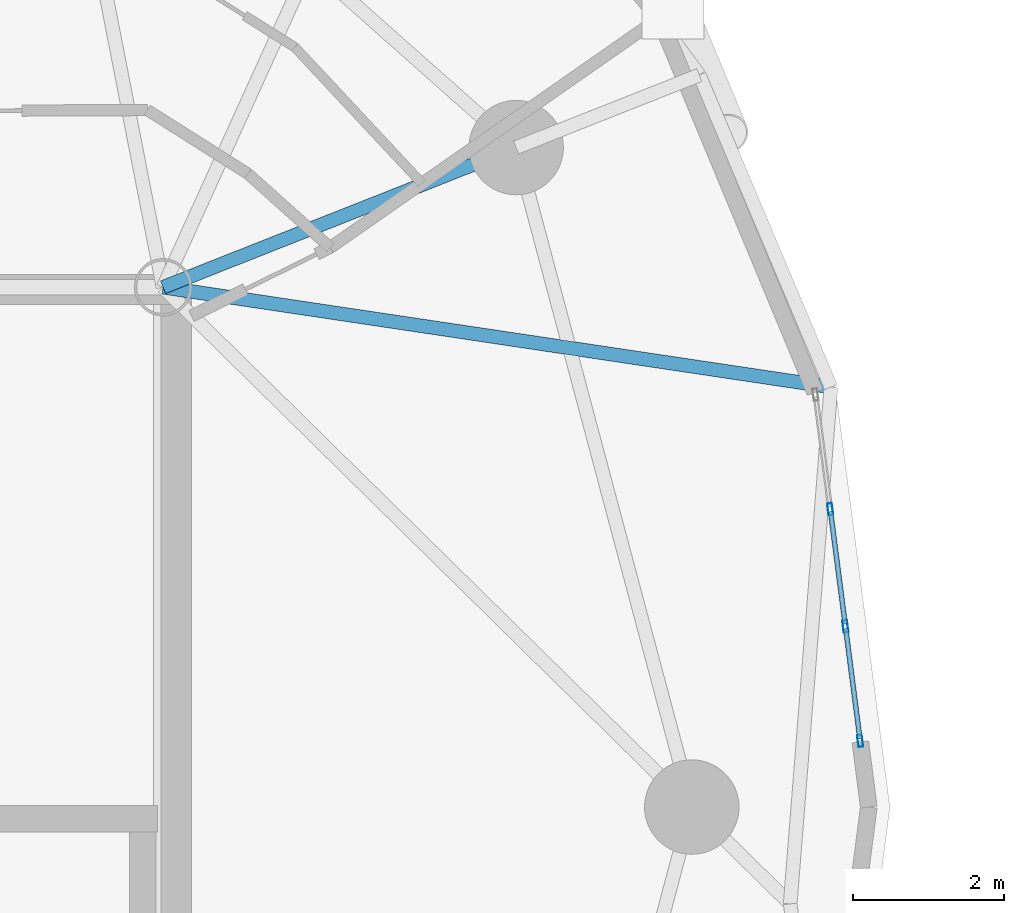
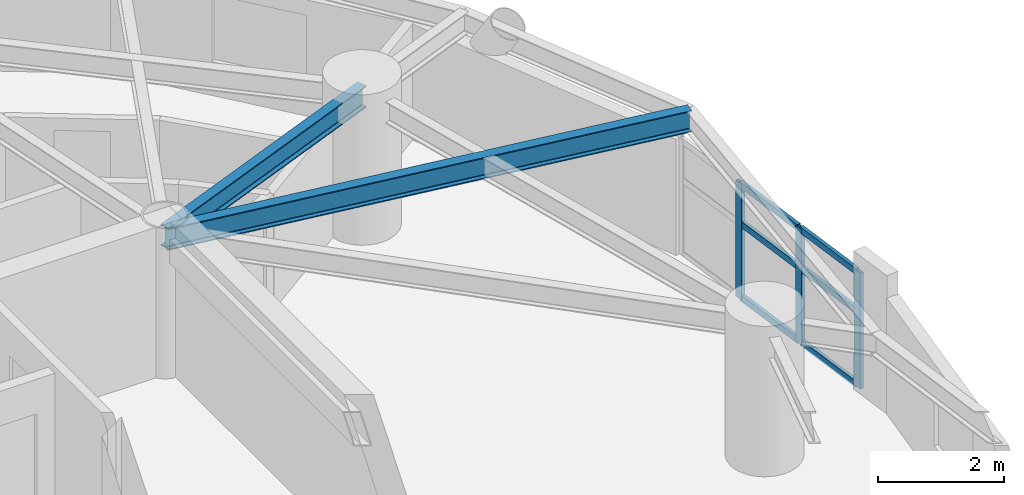
# One storey, part 3 of 19: 9 members, 2 beams, 1 element without a shape of its own.
"""IFC4 building model written with IfcOpenShell, lengths in metres."""

import ifcopenshell
import ifcopenshell.guid

model = None  # the IFC model being written
_history = None  # IfcOwnerHistory: only IFC2X3 demands one
_inside = {}  # id of a spatial element -> (the spatial element, [elements in it])
_under = {}  # id of a project, library or spatial element -> (it, [spatial elements below it])
_declared = {}  # id of a project -> (the project, [libraries it declares])
_typed = {}  # id of a type object -> (the type object, [elements of that type])
_made_of = {}  # id of a material, layer set ... -> (it, [elements and type objects made of it])


def new_model(schema):
    """Start an empty IFC model of exactly this schema.

    Asked for "IFC4X3", IfcOpenShell would pick the latest addendum, in which some entities
    have other attributes; the version numbers below select the first issue.
    IFC2X3 requires an IfcOwnerHistory on every rooted entity: one is made here for all.
    """
    global model, _history
    if schema == "IFC4X3":
        model = ifcopenshell.file(schema_version=(4, 3, 0, 0))
    else:
        model = ifcopenshell.file(schema=schema)
    _inside.clear()
    _under.clear()
    _declared.clear()
    _typed.clear()
    _made_of.clear()
    _history = None
    if model.schema == "IFC2X3":
        org = make("IfcOrganization", Name="unknown")
        user = make(
            "IfcPersonAndOrganization",
            ThePerson=make("IfcPerson", FamilyName="unknown"),
            TheOrganization=org,
        )
        app = make(
            "IfcApplication",
            ApplicationDeveloper=org,
            Version="unknown",
            ApplicationFullName="unknown",
            ApplicationIdentifier="unknown",
        )
        _history = make(
            "IfcOwnerHistory",
            OwningUser=user,
            OwningApplication=app,
            ChangeAction="ADDED",
            CreationDate=0,
        )
    return model


def make(cls, **values):
    """One entity of the class cls with the attributes given. An attribute that is None is left unset."""
    return model.create_entity(
        cls, **{name: value for name, value in values.items() if value is not None}
    )


def rooted(cls, **values):
    """An entity with a GlobalId (a new one), such as an element, a storey or a relation."""
    return make(cls, GlobalId=ifcopenshell.guid.new(), OwnerHistory=_history, **values)


def si_unit(unit_type, name, prefix=None):
    """IfcSIUnit, for example si_unit("LENGTHUNIT", "METRE", prefix="MILLI")."""
    return make("IfcSIUnit", UnitType=unit_type, Prefix=prefix, Name=name)


def assignment(units):
    """IfcUnitAssignment: the units of a project."""
    return None if units is None else make("IfcUnitAssignment", Units=units)


def point(xyz):
    """IfcCartesianPoint."""
    return None if xyz is None else make("IfcCartesianPoint", Coordinates=xyz)


def direction(xyz):
    """IfcDirection."""
    return None if xyz is None else make("IfcDirection", DirectionRatios=xyz)


def frame(location, z_axis=None, x_axis=None):
    """IfcAxis2Placement3D, a coordinate frame: its origin and axes. An axis left out is left unset."""
    return make(
        "IfcAxis2Placement3D",
        Location=point(location),
        Axis=direction(z_axis),
        RefDirection=direction(x_axis),
    )


def frame_2d(location, x_axis=None):
    """IfcAxis2Placement2D, a coordinate frame in the plane: its origin and x axis."""
    return make(
        "IfcAxis2Placement2D", Location=point(location), RefDirection=direction(x_axis)
    )


def origin():
    """The frame at (0, 0, 0) with its axes left unset."""
    return frame((0.0, 0.0, 0.0))


def origin_2d():
    """The frame at (0, 0) in the plane with its x axis left unset."""
    return frame_2d((0.0, 0.0))


def place(relative_to, where):
    """IfcLocalPlacement: puts the frame where relative to a parent placement (None: the world)."""
    return make(
        "IfcLocalPlacement", PlacementRelTo=relative_to, RelativePlacement=where
    )


def context(
    kind, dimensions, precision=None, world=None, true_north=None, identifier=None
):
    """IfcGeometricRepresentationContext, for example the 3D "Model" context."""
    return make(
        "IfcGeometricRepresentationContext",
        ContextIdentifier=identifier,
        ContextType=kind,
        CoordinateSpaceDimension=dimensions,
        Precision=precision,
        WorldCoordinateSystem=world,
        TrueNorth=true_north,
    )


def subcontext(parent, identifier, kind, view, scale=None):
    """IfcGeometricRepresentationSubContext, for example "Body" below "Model"."""
    return make(
        "IfcGeometricRepresentationSubContext",
        ContextIdentifier=identifier,
        ContextType=kind,
        ParentContext=parent,
        TargetScale=scale,
        TargetView=view,
    )


def project(units=None, contexts=None):
    """IfcProject with its units and contexts."""
    return rooted(
        "IfcProject",
        Name="project",
        RepresentationContexts=contexts,
        UnitsInContext=assignment(units),
    )


def spatial(cls, under=None, at=None, **own):
    """A site, building, storey or space (cls), placed at a placement, below another one or the project."""
    s = rooted(cls, ObjectPlacement=at, **own)
    if under is not None:
        _under.setdefault(under.id(), (under, []))[1].append(s)
    return s


def profile(cls, at=None, kind="AREA", **sizes):
    """A parametric profile (cls). Its sizes go by their IFC names, for example OverallWidth=200.0."""
    return make(cls, ProfileType=kind, Position=at, **sizes)


def hollow_rectangle(**sizes):
    """IfcRectangleHollowProfileDef."""
    return profile("IfcRectangleHollowProfileDef", **sizes)


def i_section(**sizes):
    """IfcIShapeProfileDef."""
    return profile("IfcIShapeProfileDef", **sizes)


def extrude(swept, where, along, depth):
    """IfcExtrudedAreaSolid: the profile swept, set in the frame where, extruded along a direction by depth."""
    return make(
        "IfcExtrudedAreaSolid",
        SweptArea=swept,
        Position=where,
        ExtrudedDirection=direction(along),
        Depth=depth,
    )


def shape(context_of_items, identifier, shape_type, items):
    """IfcShapeRepresentation: the items that make up one representation, for example the "Body"."""
    return make(
        "IfcShapeRepresentation",
        ContextOfItems=context_of_items,
        RepresentationIdentifier=identifier,
        RepresentationType=shape_type,
        Items=items,
    )


def material(Name=None, Category=None):
    """IfcMaterial."""
    return make("IfcMaterial", Name=Name, Category=Category)


def layer(
    of_material, thickness, ventilated=None, Name=None, Category=None, Priority=None
):
    """IfcMaterialLayer: one layer of a wall or slab, of a material (None: an air gap)."""
    return make(
        "IfcMaterialLayer",
        Material=of_material,
        LayerThickness=thickness,
        IsVentilated=ventilated,
        Name=Name,
        Category=Category,
        Priority=Priority,
    )


def layer_set(layers, Name=None):
    """IfcMaterialLayerSet."""
    return make("IfcMaterialLayerSet", MaterialLayers=layers, LayerSetName=Name)


def material_profile(
    of_material, cross_section, Name=None, Category=None, Priority=None
):
    """IfcMaterialProfile: a cross section and its material."""
    return make(
        "IfcMaterialProfile",
        Name=Name,
        Material=of_material,
        Profile=cross_section,
        Priority=Priority,
        Category=Category,
    )


def profile_set(profiles, Name=None, composite=None):
    """IfcMaterialProfileSet."""
    return make(
        "IfcMaterialProfileSet",
        Name=Name,
        MaterialProfiles=profiles,
        CompositeProfile=composite,
    )


def made_of(thing, what):
    """Note that an element or type object is made of a material, layer set ...; save() writes the relation."""
    if what is not None:
        _made_of.setdefault(what.id(), (what, []))[1].append(thing)
    return thing


def type_object(cls, material=None, **own):
    """A type object (cls), such as IfcWallType, which elements share."""
    return made_of(rooted(cls, **own), material)


def element(
    cls,
    number,
    at=None,
    inside=None,
    cuts=None,
    type_object=None,
    material=None,
    context=None,
    identifier="Body",
    shape_type=None,
    held_by="IfcProductDefinitionShape",
    body=None,
    shapes=None,
    **own,
):
    """One element of the class cls, such as IfcWall. Its Tag is "e" and its number.

    at: its placement. inside: the storey or other place that contains it. cuts: it is an
    opening in that element (IfcRelVoidsElement). A single representation is given by context,
    identifier, shape_type and body (its items); several are given by shapes. held_by: the class
    of the entity that holds the representations. save() writes the other relations.
    """
    e = rooted(cls, Tag="e%d" % number, ObjectPlacement=at, **own)
    if body is not None:
        shapes = [shape(context, identifier, shape_type, body)]
    if shapes is not None:
        e.Representation = make(held_by, Representations=shapes)
    if inside is not None:
        _inside.setdefault(inside.id(), (inside, []))[1].append(e)
    if cuts is not None:
        rooted(
            "IfcRelVoidsElement", RelatingBuildingElement=cuts, RelatedOpeningElement=e
        )
    if type_object is not None:
        _typed.setdefault(type_object.id(), (type_object, []))[1].append(e)
    return made_of(e, material)


def aggregate(whole, parts):
    """IfcRelAggregates: a whole, such as a stair, and the parts it consists of."""
    return rooted("IfcRelAggregates", RelatingObject=whole, RelatedObjects=parts)


def save(model, path):
    """Write the relations noted so far, then the file.

    IfcRelAggregates (storeys below a building ...), IfcRelContainedInSpatialStructure (elements
    in a storey), IfcRelDefinesByType, IfcRelAssociatesMaterial and IfcRelDeclares: one each for
    every whole, place, type object, material and project.
    """
    for whole, parts in _under.values():
        aggregate(whole, parts)
    for where, things in _inside.values():
        rooted(
            "IfcRelContainedInSpatialStructure",
            RelatedElements=things,
            RelatingStructure=where,
        )
    for kind, things in _typed.values():
        rooted("IfcRelDefinesByType", RelatedObjects=things, RelatingType=kind)
    for what, things in _made_of.values():
        rooted("IfcRelAssociatesMaterial", RelatedObjects=things, RelatingMaterial=what)
    for by, libraries in _declared.values():
        rooted("IfcRelDeclares", RelatingContext=by, RelatedDefinitions=libraries)
    model.write(path)


model = new_model("IFC4")

# Units and contexts
model_context = context("Model", 3, precision=1e-05, world=origin(), true_north=direction((0.0, 1.0)))
body_context = subcontext(model_context, "Body", "Model", "MODEL_VIEW")
ifc_project = project(units=[si_unit("LENGTHUNIT", "METRE"), si_unit("AREAUNIT", "SQUARE_METRE"), si_unit("VOLUMEUNIT", "CUBIC_METRE"), si_unit("PLANEANGLEUNIT", "RADIAN"), si_unit("MASSUNIT", "GRAM", prefix="KILO")], contexts=[model_context])

# Site, building, storey
site_placement = place(None, origin())
site = spatial("IfcSite", under=ifc_project, at=site_placement, CompositionType="ELEMENT")
building_placement = place(site_placement, origin())
building = spatial("IfcBuilding", under=site, at=building_placement, Name="Cununo Teusaquillo Station Towers", CompositionType="ELEMENT")
storey_placement = place(building_placement, frame((0.0, 0.0, 160.330078125)))
storey = spatial("IfcBuildingStorey", under=building, at=storey_placement, Name="L50", CompositionType="ELEMENT", Elevation=160.330078125)

# Beams
ifc_material_1 = material(Name="Steel ASTM A572 Grade 50", Category="steel")
ifc_material_profile_1 = material_profile(ifc_material_1, i_section(OverallWidth=0.180908203125, OverallDepth=0.4169921875, WebThickness=0.010986328125, FlangeThickness=0.018310546875, FilletRadius=0.012939453125, at=origin_2d()), Name="W16X57")
ifc_profile_set_1 = profile_set([ifc_material_profile_1], Name="Steel ASTM A572 Grade 50")
beam_type_1 = type_object("IfcBeamType", Name="BM-JOIST-1", PredefinedType="JOIST", material=ifc_profile_set_1)
beam_1_placement = place(storey_placement, frame((21.675048828125, 31.3798828125, 2.4814453125), z_axis=(0.989018754675, -0.147790063606, 0.0), x_axis=(0.147790063606, 0.989018754675, 0.0)))
element("IfcBeam", 1, at=beam_1_placement, inside=storey, type_object=beam_type_1, Name="L50 Tower A Radial Spandrel Joist V01", PredefinedType="JOIST", context=body_context, shape_type="SweptSolid", body=[
    extrude(i_section(OverallWidth=0.180908203125, OverallDepth=0.4169921875, WebThickness=0.010986328125, FlangeThickness=0.018310546875, FilletRadius=0.012939453125, at=origin_2d()), origin(), (0.0, 0.0, 1.0), 8.93701171875),
])
ifc_material_2 = material(Name="Steel ASTM A572 Grade 50", Category="steel")
ifc_material_profile_2 = material_profile(ifc_material_2, i_section(OverallWidth=0.180908203125, OverallDepth=0.4169921875, WebThickness=0.010986328125, FlangeThickness=0.018310546875, FilletRadius=0.012939453125, at=origin_2d()), Name="W16X57")
ifc_profile_set_2 = profile_set([ifc_material_profile_2], Name="Steel ASTM A572 Grade 50")
beam_type_2 = type_object("IfcBeamType", Name="BM-RAD-G2", PredefinedType="BEAM", material=ifc_profile_set_2)
beam_2_placement = place(storey_placement, frame((21.675048828125, 31.3798828125, 2.4814453125), z_axis=(0.929864104313, 0.367903176814, 0.0), x_axis=(-0.367903176814, 0.929864104313, 0.0)))
element("IfcBeam", 2, at=beam_2_placement, inside=storey, type_object=beam_type_2, Name="L50 Tower A Radial Girder 02A", PredefinedType="BEAM", context=body_context, shape_type="SweptSolid", body=[
    extrude(i_section(OverallWidth=0.180908203125, OverallDepth=0.4169921875, WebThickness=0.010986328125, FlangeThickness=0.018310546875, FilletRadius=0.012939453125, at=origin_2d()), origin(), (0.0, 0.0, 1.0), 5.02490234375),
])

# Curtain wall, members
ifc_material_3 = material(Name="Operable acoustic tinted low-E double glazing", Category="glass")
ifc_layer = layer(ifc_material_3, 0.179931640625)
ifc_layer_set = layer_set([ifc_layer], Name="Operable acoustic tinted low-E double glazing")
curtain_wall_type = type_object("IfcCurtainWallType", Name="CW-SYS-06", PredefinedType="USERDEFINED", material=ifc_layer_set)
curtain_wall_placement = place(storey_placement, origin())
curtain_wall = element("IfcCurtainWall", 3, at=curtain_wall_placement, inside=storey, type_object=curtain_wall_type, Name="L50 Tower A Facade Curtain Wall C00", ObjectType="OPERABLE GLAZING", PredefinedType="USERDEFINED")
ifc_material_4 = material(Name="Anodised dark bronze aluminium EN AW-6063-T6", Category="aluminium")
ifc_material_profile_3 = material_profile(ifc_material_4, hollow_rectangle(XDim=0.06494140625, YDim=0.159912109375, WallThickness=0.00390625, at=origin_2d()), Name="CW-MULL-65x160")
ifc_profile_set_3 = profile_set([ifc_material_profile_3], Name="Anodised dark bronze aluminium EN AW-6063-T6")
member_type_1 = type_object("IfcMemberType", Name="CWM-160", PredefinedType="MULLION", material=ifc_profile_set_3)
member_1_placement = place(storey_placement, frame((30.505126953125, 28.44189453125, 0.0), z_axis=(0.0, 0.0, 1.0), x_axis=(0.991736321922, 0.128292898403, 0.0)))
member_1 = element("IfcMember", 4, at=member_1_placement, type_object=member_type_1, Name="CW-06 mullion 2", PredefinedType="MULLION", context=body_context, shape_type="SweptSolid", body=[
    extrude(hollow_rectangle(XDim=0.06494140625, YDim=0.159912109375, WallThickness=0.00390625, at=origin_2d()), origin(), (0.0, 0.0, 1.0), 2.244873046875),
])
member_2_placement = place(storey_placement, frame((30.70556640625, 26.892333984375, 0.0), z_axis=(0.0, 0.0, 1.0), x_axis=(0.991736321922, 0.128292898403, 0.0)))
member_2 = element("IfcMember", 5, at=member_2_placement, type_object=member_type_1, Name="CW-06 mullion 3", PredefinedType="MULLION", context=body_context, shape_type="SweptSolid", body=[
    extrude(hollow_rectangle(XDim=0.06494140625, YDim=0.159912109375, WallThickness=0.00390625, at=origin_2d()), origin(), (0.0, 0.0, 1.0), 2.244873046875),
])
member_3_placement = place(storey_placement, frame((30.901611328125, 25.375244140625, 0.0), z_axis=(0.0, 0.0, 1.0), x_axis=(0.991736321922, 0.128292898403, 0.0)))
member_3 = element("IfcMember", 6, at=member_3_placement, type_object=member_type_1, Name="CW-06 mullion 4", PredefinedType="MULLION", context=body_context, shape_type="SweptSolid", body=[
    extrude(hollow_rectangle(XDim=0.06494140625, YDim=0.159912109375, WallThickness=0.00390625, at=origin_2d()), origin(), (0.0, 0.0, 1.0), 2.244873046875),
])
ifc_material_5 = material(Name="Anodised dark bronze aluminium EN AW-6063-T6", Category="aluminium")
ifc_material_profile_4 = material_profile(ifc_material_5, hollow_rectangle(XDim=0.06494140625, YDim=0.1201171875, WallThickness=0.00390625, at=origin_2d()), Name="CW-TRAN-65x120")
ifc_profile_set_4 = profile_set([ifc_material_profile_4], Name="Anodised dark bronze aluminium EN AW-6063-T6")
member_type_2 = type_object("IfcMemberType", Name="CWT-120", PredefinedType="USERDEFINED", material=ifc_profile_set_4)
member_4_placement = place(storey_placement, frame((30.50927734375, 28.40966796875, 0.032470703125), z_axis=(0.128307576997, -0.991734422961, 0.0), x_axis=(0.991734422961, 0.128307576997, 0.0)))
member_4 = element("IfcMember", 7, at=member_4_placement, type_object=member_type_2, Name="CW-06 transom 2.1", ObjectType="TRANSOM", PredefinedType="USERDEFINED", context=body_context, shape_type="SweptSolid", body=[
    extrude(hollow_rectangle(XDim=0.06494140625, YDim=0.1201171875, WallThickness=0.00390625, at=origin_2d()), origin(), (0.0, 0.0, 1.0), 1.49755859375),
])
member_5_placement = place(storey_placement, frame((30.50927734375, 28.40966796875, 1.458984375), z_axis=(0.128307576997, -0.991734422961, 0.0), x_axis=(0.991734422961, 0.128307576997, 0.0)))
member_5 = element("IfcMember", 8, at=member_5_placement, type_object=member_type_2, Name="CW-06 transom 2.2", ObjectType="TRANSOM", PredefinedType="USERDEFINED", context=body_context, shape_type="SweptSolid", body=[
    extrude(hollow_rectangle(XDim=0.06494140625, YDim=0.1201171875, WallThickness=0.00390625, at=origin_2d()), origin(), (0.0, 0.0, 1.0), 1.49755859375),
])
member_6_placement = place(storey_placement, frame((30.50927734375, 28.40966796875, 2.21240234375), z_axis=(0.128307576997, -0.991734422961, 0.0), x_axis=(0.991734422961, 0.128307576997, 0.0)))
member_6 = element("IfcMember", 9, at=member_6_placement, type_object=member_type_2, Name="CW-06 transom 2.3", ObjectType="TRANSOM", PredefinedType="USERDEFINED", context=body_context, shape_type="SweptSolid", body=[
    extrude(hollow_rectangle(XDim=0.06494140625, YDim=0.1201171875, WallThickness=0.00390625, at=origin_2d()), origin(), (0.0, 0.0, 1.0), 1.49755859375),
])
member_7_placement = place(storey_placement, frame((30.709716796875, 26.860107421875, 0.032470703125), z_axis=(0.128177596053, -0.991751230839, 0.0), x_axis=(0.991751230839, 0.128177596053, 0.0)))
member_7 = element("IfcMember", 10, at=member_7_placement, type_object=member_type_2, Name="CW-06 transom 3.1", ObjectType="TRANSOM", PredefinedType="USERDEFINED", context=body_context, shape_type="SweptSolid", body=[
    extrude(hollow_rectangle(XDim=0.06494140625, YDim=0.1201171875, WallThickness=0.00390625, at=origin_2d()), origin(), (0.0, 0.0, 1.0), 1.464599609375),
])
member_8_placement = place(storey_placement, frame((30.709716796875, 26.860107421875, 1.458984375), z_axis=(0.128177596053, -0.991751230839, 0.0), x_axis=(0.991751230839, 0.128177596053, 0.0)))
member_8 = element("IfcMember", 11, at=member_8_placement, type_object=member_type_2, Name="CW-06 transom 3.2", ObjectType="TRANSOM", PredefinedType="USERDEFINED", context=body_context, shape_type="SweptSolid", body=[
    extrude(hollow_rectangle(XDim=0.06494140625, YDim=0.1201171875, WallThickness=0.00390625, at=origin_2d()), origin(), (0.0, 0.0, 1.0), 1.464599609375),
])
member_9_placement = place(storey_placement, frame((30.709716796875, 26.860107421875, 2.21240234375), z_axis=(0.128177596053, -0.991751230839, 0.0), x_axis=(0.991751230839, 0.128177596053, 0.0)))
member_9 = element("IfcMember", 12, at=member_9_placement, type_object=member_type_2, Name="CW-06 transom 3.3", ObjectType="TRANSOM", PredefinedType="USERDEFINED", context=body_context, shape_type="SweptSolid", body=[
    extrude(hollow_rectangle(XDim=0.06494140625, YDim=0.1201171875, WallThickness=0.00390625, at=origin_2d()), origin(), (0.0, 0.0, 1.0), 1.464599609375),
])
aggregate(curtain_wall, [member_1, member_2, member_3, member_4, member_5, member_6, member_7, member_8, member_9])

save(model, "model.ifc")
